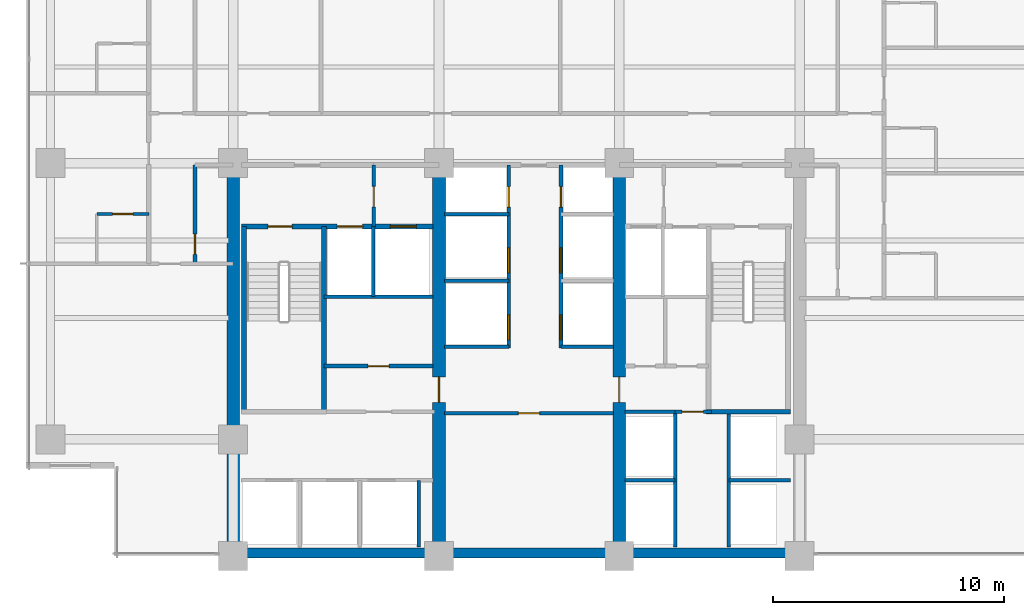
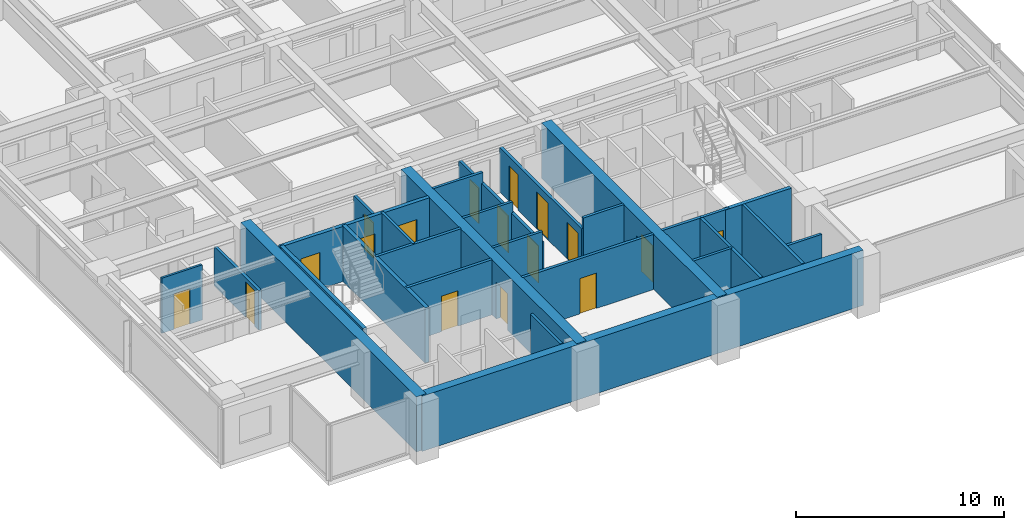
# One storey, part 8 of 17: 28 walls, 17 doors, 17 openings.
"""IFC4 building model written with IfcOpenShell, lengths in metres."""

from ifc_helpers import new_model, si_unit, direction, frame, frame_2d, origin, place, context, subcontext, project, spatial, rectangle, extrude, material, layer, layer_set, type_object, element, fill, save


model = new_model("IFC4")

# Units and contexts
model_context = context("Model", 3, precision=1e-05, world=origin(), true_north=direction((0.0, 1.0)))
body_context = subcontext(model_context, "Body", "Model", "MODEL_VIEW")
ifc_project = project(units=[si_unit("LENGTHUNIT", "METRE"), si_unit("AREAUNIT", "SQUARE_METRE"), si_unit("VOLUMEUNIT", "CUBIC_METRE"), si_unit("PLANEANGLEUNIT", "RADIAN"), si_unit("MASSUNIT", "GRAM", prefix="KILO")], contexts=[model_context])

# Site, building, storey
site_placement = place(None, origin())
site = spatial("IfcSite", under=ifc_project, at=site_placement, CompositionType="ELEMENT")
building_placement = place(site_placement, origin())
building = spatial("IfcBuilding", under=site, at=building_placement, Name="Qalmaran Belvedere Hotel", CompositionType="ELEMENT")
storey_placement = place(building_placement, frame((0.0, 0.0, 102.199951171875)))
storey = spatial("IfcBuildingStorey", under=building, at=storey_placement, Name="L25", CompositionType="ELEMENT", Elevation=102.199951171875)

# Wall
ifc_material_1 = material(Name="Concrete C60/75", Category="concrete")
ifc_layer_1 = layer(ifc_material_1, 0.550048828125, Name="Concrete C60/75")
ifc_layer_set_1 = layer_set([ifc_layer_1], Name="Concrete C60/75")
wall_type_1 = type_object("IfcWallType", Name="WL-CORE-550-C60", PredefinedType="SHEAR", material=ifc_layer_set_1)
wall_1_placement = place(storey_placement, frame((20.300048828125, 3.5, 0.0), z_axis=(0.0, 0.0, 1.0), x_axis=(0.0, 1.0, 0.0)))
element("IfcWall", 1, at=wall_1_placement, inside=storey, type_object=wall_type_1, Name="L25 West Core Shear Wall", PredefinedType="SHEAR", context=body_context, shape_type="SweptSolid", body=[
    extrude(rectangle(XDim=16.89990234375, YDim=0.550048828125, at=frame_2d((8.449951171875, 0.0))), origin(), (0.0, 0.0, 1.0), 3.239990234375),
])

# Wall, opening, door
wall_2_placement = place(storey_placement, frame((29.199951171875, 3.5, 0.0), z_axis=(0.0, 0.0, 1.0), x_axis=(0.0, 1.0, 0.0)))
wall_2 = element("IfcWall", 2, at=wall_2_placement, inside=storey, type_object=wall_type_1, Name="L25 Core West Spine Shear Wall", PredefinedType="SHEAR", context=body_context, shape_type="SweptSolid", body=[
    extrude(rectangle(XDim=16.89990234375, YDim=0.550048828125, at=frame_2d((8.449951171875, 0.0))), origin(), (0.0, 0.0, 1.0), 3.239990234375),
])
opening_1_placement = place(wall_2_placement, frame((7.75, 0.0, 0.0), z_axis=(0.0, 0.0, 1.0), x_axis=(-1.0, 0.0, 0.0)))
opening_1 = element("IfcOpeningElement", 3, at=opening_1_placement, cuts=wall_2, Name="Opening FD90", PredefinedType="OPENING", context=body_context, shape_type="SweptSolid", body=[
    extrude(rectangle(XDim=1.10009765625, YDim=2.14990234375, at=frame_2d((0.550048828125, 1.074951171875))), frame((0.0, 0.28515625, 0.0), z_axis=(0.0, -1.0, 0.0), x_axis=(1.0, 0.0, 0.0)), (0.0, 0.0, 1.0), 0.570068359375),
])
ifc_material_2 = material(Name="Steel S355JR", Category="steel")
door_type_1 = type_object("IfcDoorType", Name="DR-FD90-1100X2150", OperationType="NOTDEFINED", PredefinedType="DOOR", material=ifc_material_2)
door_1_placement = place(opening_1_placement, origin())
door_1 = element("IfcDoor", 4, at=door_1_placement, inside=storey, type_object=door_type_1, Name="L25 Core West Cross-Lobby Door", OperationType="SINGLE_SWING_RIGHT", OverallHeight=2.14990234375, OverallWidth=1.10009765625, PredefinedType="DOOR", context=body_context, shape_type="SweptSolid", body=[
    extrude(rectangle(XDim=1.10009765625, YDim=2.14990234375, at=frame_2d((0.550048828125, 1.074951171875))), frame((0.0, 0.02490234375, 0.0), z_axis=(0.0, -1.0, 0.0), x_axis=(1.0, 0.0, 0.0)), (0.0, 0.0, 1.0), 0.050048828125),
])
fill(opening_1, door_1)

wall_3_placement = place(storey_placement, frame((37.0, 3.5, 0.0), z_axis=(0.0, 0.0, 1.0), x_axis=(0.0, 1.0, 0.0)))
wall_3 = element("IfcWall", 5, at=wall_3_placement, inside=storey, type_object=wall_type_1, Name="L25 Core East Spine Shear Wall", PredefinedType="SHEAR", context=body_context, shape_type="SweptSolid", body=[
    extrude(rectangle(XDim=16.89990234375, YDim=0.550048828125, at=frame_2d((8.449951171875, 0.0))), origin(), (0.0, 0.0, 1.0), 3.239990234375),
])
opening_2_placement = place(wall_3_placement, frame((6.64990234375, 0.0, 0.0)))
opening_2 = element("IfcOpeningElement", 6, at=opening_2_placement, cuts=wall_3, Name="Opening FD90", PredefinedType="OPENING", context=body_context, shape_type="SweptSolid", body=[
    extrude(rectangle(XDim=1.10009765625, YDim=2.14990234375, at=frame_2d((0.550048828125, 1.074951171875))), frame((0.0, 0.28515625, 0.0), z_axis=(0.0, -1.0, 0.0), x_axis=(1.0, 0.0, 0.0)), (0.0, 0.0, 1.0), 0.570068359375),
])
door_2_placement = place(opening_2_placement, origin())
door_2 = element("IfcDoor", 7, at=door_2_placement, inside=storey, type_object=door_type_1, Name="L25 Core East Cross-Lobby Door", OperationType="SINGLE_SWING_LEFT", OverallHeight=2.14990234375, OverallWidth=1.10009765625, PredefinedType="DOOR", context=body_context, shape_type="SweptSolid", body=[
    extrude(rectangle(XDim=1.10009765625, YDim=2.14990234375, at=frame_2d((0.550048828125, 1.074951171875))), frame((0.0, 0.02490234375, 0.0), z_axis=(0.0, -1.0, 0.0), x_axis=(1.0, 0.0, 0.0)), (0.0, 0.0, 1.0), 0.050048828125),
])
fill(opening_2, door_2)

# Wall
ifc_material_3 = material(Name="Concrete C50/60", Category="concrete")
ifc_layer_2 = layer(ifc_material_3, 0.43994140625, Name="Concrete C50/60")
ifc_layer_set_2 = layer_set([ifc_layer_2], Name="Concrete C50/60")
wall_type_2 = type_object("IfcWallType", Name="WL-CORES-440-EXT", PredefinedType="SHEAR", material=ifc_layer_set_2)
wall_4_placement = place(storey_placement, frame((20.300048828125, 3.6298828125, 0.0), z_axis=(0.0, 0.0, 1.0), x_axis=(1.0, 0.0, 0.0)))
element("IfcWall", 8, at=wall_4_placement, inside=storey, type_object=wall_type_2, Name="L25 South Core Shear Wall", PredefinedType="SHEAR", context=body_context, shape_type="SweptSolid", body=[
    extrude(rectangle(XDim=24.5, YDim=0.43994140625, at=frame_2d((12.25, 0.0))), origin(), (0.0, 0.0, 1.0), 3.239990234375),
])

# Wall, opening, door
ifc_material_4 = material(Name="Moisture-Resistant Gypsum")
ifc_layer_3 = layer(ifc_material_4, 0.1201171875, Name="Moisture-Resistant Gypsum")
ifc_layer_set_3 = layer_set([ifc_layer_3], Name="Moisture-Resistant Gypsum")
wall_type_3 = type_object("IfcWallType", Name="WL-INT-120-BATH", PredefinedType="PARTITIONING", material=ifc_layer_set_3)
wall_5_placement = place(storey_placement, frame((14.39990234375, 18.300048828125, 0.0), z_axis=(0.0, 0.0, 1.0), x_axis=(1.0, 0.0, 0.0)))
wall_5 = element("IfcWall", 9, at=wall_5_placement, inside=storey, type_object=wall_type_3, Name="L25 Partition WL-L25-WBN00", PredefinedType="PARTITIONING", context=body_context, shape_type="SweptSolid", body=[
    extrude(rectangle(XDim=2.25, YDim=0.1201171875, at=frame_2d((1.125, 0.0))), origin(), (0.0, 0.0, 1.0), 3.239990234375),
])
opening_3_placement = place(wall_5_placement, frame((1.56494140625, 0.0, 0.0), z_axis=(0.0, 0.0, 1.0), x_axis=(-1.0, 0.0, 0.0)))
opening_3 = element("IfcOpeningElement", 10, at=opening_3_placement, cuts=wall_5, Name="Opening D-BATH", PredefinedType="OPENING", context=body_context, shape_type="SweptSolid", body=[
    extrude(rectangle(XDim=0.8798828125, YDim=2.080078125, at=frame_2d((0.43994140625, 1.0400390625))), frame((0.0, 0.070068359375, 0.0), z_axis=(0.0, -1.0, 0.0), x_axis=(1.0, 0.0, 0.0)), (0.0, 0.0, 1.0), 0.14013671875),
])
ifc_material_5 = material(Name="Engineered Oak Veneer")
door_type_2 = type_object("IfcDoorType", Name="DR-INT-BATH-880X2080", OperationType="NOTDEFINED", PredefinedType="DOOR", material=ifc_material_5)
door_3_placement = place(opening_3_placement, origin())
door_3 = element("IfcDoor", 11, at=door_3_placement, inside=storey, type_object=door_type_2, Name="L25 W Ensuite Door 01", OperationType="SINGLE_SWING_RIGHT", OverallHeight=2.080078125, OverallWidth=0.8798828125, PredefinedType="DOOR", context=body_context, shape_type="SweptSolid", body=[
    extrude(rectangle(XDim=0.8798828125, YDim=2.080078125, at=frame_2d((0.43994140625, 1.0400390625))), frame((0.0, 0.02490234375, 0.0), z_axis=(0.0, -1.0, 0.0), x_axis=(1.0, 0.0, 0.0)), (0.0, 0.0, 1.0), 0.050048828125),
])
fill(opening_3, door_3)

# Walls
ifc_material_6 = material(Name="Gypsum Stud Partition")
ifc_layer_4 = layer(ifc_material_6, 0.14990234375, Name="Gypsum Stud Partition")
ifc_layer_set_4 = layer_set([ifc_layer_4], Name="Gypsum Stud Partition")
wall_type_4 = type_object("IfcWallType", Name="WL-INT-150-EI120", PredefinedType="PARTITIONING", material=ifc_layer_set_4)
wall_6_placement = place(storey_placement, frame((26.360107421875, 14.719970703125, 0.0), z_axis=(0.0, 0.0, 1.0), x_axis=(0.0, 1.0, 0.0)))
element("IfcWall", 12, at=wall_6_placement, inside=storey, type_object=wall_type_4, Name="L25 Partition WL-FF1M-L25", PredefinedType="PARTITIONING", context=body_context, shape_type="SweptSolid", body=[
    extrude(rectangle(XDim=3.0400390625, YDim=0.14990234375, at=frame_2d((1.52001953125, 0.0))), origin(), (0.0, 0.0, 1.0), 3.239990234375),
])
wall_7_placement = place(storey_placement, frame((28.320068359375, 3.89990234375, 0.0), z_axis=(0.0, 0.0, 1.0), x_axis=(0.0, 1.0, 0.0)))
element("IfcWall", 13, at=wall_7_placement, inside=storey, type_object=wall_type_4, Name="L25 Partition WL-POM3-L25", PredefinedType="PARTITIONING", context=body_context, shape_type="SweptSolid", body=[
    extrude(rectangle(XDim=2.880126953125, YDim=0.14990234375, at=frame_2d((1.43994140625, 0.0))), origin(), (0.0, 0.0, 1.0), 3.239990234375),
])
wall_8_placement = place(storey_placement, frame((37.25, 6.780029296875, 0.0), z_axis=(0.0, 0.0, 1.0), x_axis=(1.0, 0.0, 0.0)))
element("IfcWall", 14, at=wall_8_placement, inside=storey, type_object=wall_type_4, Name="L25 Partition WL-PHMW-L25", PredefinedType="PARTITIONING", context=body_context, shape_type="SweptSolid", body=[
    extrude(rectangle(XDim=2.169921875, YDim=0.14990234375, at=frame_2d((1.0849609375, 0.0))), origin(), (0.0, 0.0, 1.0), 3.239990234375),
])
wall_9_placement = place(storey_placement, frame((41.739990234375, 6.780029296875, 0.0), z_axis=(0.0, 0.0, 1.0), x_axis=(1.0, 0.0, 0.0)))
element("IfcWall", 15, at=wall_9_placement, inside=storey, type_object=wall_type_4, Name="L25 Partition WL-PHME-L25", PredefinedType="PARTITIONING", context=body_context, shape_type="SweptSolid", body=[
    extrude(rectangle(XDim=2.659912109375, YDim=0.14990234375, at=frame_2d((1.330078125, 0.0))), origin(), (0.0, 0.0, 1.0), 2.31298828125),
])
wall_10_placement = place(storey_placement, frame((29.449951171875, 12.550048828125, 0.0), z_axis=(0.0, 0.0, 1.0), x_axis=(1.0, 0.0, 0.0)))
element("IfcWall", 16, at=wall_10_placement, inside=storey, type_object=wall_type_4, Name="L25 Partition WL-PMW-L25-125", PredefinedType="PARTITIONING", context=body_context, shape_type="SweptSolid", body=[
    extrude(rectangle(XDim=2.77001953125, YDim=0.14990234375, at=frame_2d((1.385009765625, 0.0))), origin(), (0.0, 0.0, 1.0), 3.239990234375),
])
wall_11_placement = place(storey_placement, frame((34.47998046875, 12.550048828125, 0.0), z_axis=(0.0, 0.0, 1.0), x_axis=(1.0, 0.0, 0.0)))
element("IfcWall", 17, at=wall_11_placement, inside=storey, type_object=wall_type_4, Name="L25 Partition WL-PME-L25-125", PredefinedType="PARTITIONING", context=body_context, shape_type="SweptSolid", body=[
    extrude(rectangle(XDim=2.27001953125, YDim=0.14990234375, at=frame_2d((1.135009765625, 0.0))), origin(), (0.0, 0.0, 1.0), 3.239990234375),
])
for number, where, z_axis, x_axis, name in (
    (18, (29.449951171875, 15.419921875, 0.0), (0.0, 0.0, 1.0), (1.0, 0.0, 0.0), "L25 Partition WL-PMW-L25-154"),
    (19, (29.449951171875, 18.280029296875, 0.0), (0.0, 0.0, 1.0), (1.0, 0.0, 0.0), "L25 Partition WL-PMW-L25-182"),
):
    element("IfcWall", number, at=place(storey_placement, frame(where, z_axis=z_axis, x_axis=x_axis)), inside=storey, type_object=wall_type_4, Name=name, PredefinedType="PARTITIONING", context=body_context, shape_type="SweptSolid", body=[
        extrude(rectangle(XDim=2.77001953125, YDim=0.14990234375, at=frame_2d((1.385009765625, 0.0))), origin(), (0.0, 0.0, 1.0), 3.239990234375),
    ])

# Wall, opening, door
ifc_layer_5 = layer(ifc_material_6, 0.159912109375, Name="Gypsum Stud Partition")
ifc_layer_set_5 = layer_set([ifc_layer_5], Name="Gypsum Stud Partition")
wall_type_5 = type_object("IfcWallType", Name="WL-INT-160-EI120", PredefinedType="PARTITIONING", material=ifc_layer_set_5)
wall_12_placement = place(storey_placement, frame((26.3798828125, 17.760009765625, 0.0), z_axis=(0.0, 0.0, 1.0), x_axis=(0.0, 1.0, 0.0)))
wall_12 = element("IfcWall", 20, at=wall_12_placement, inside=storey, type_object=wall_type_5, Name="L25 Partition WL-FFSV1-L25", PredefinedType="PARTITIONING", context=body_context, shape_type="SweptSolid", body=[
    extrude(rectangle(XDim=2.659912109375, YDim=0.159912109375, at=frame_2d((1.330078125, 0.0))), origin(), (0.0, 0.0, 1.0), 2.614013671875),
])
opening_4_placement = place(wall_12_placement, frame((0.85009765625, 0.0, 0.0)))
opening_4 = element("IfcOpeningElement", 21, at=opening_4_placement, cuts=wall_12, Name="Opening FD60B", PredefinedType="OPENING", context=body_context, shape_type="SweptSolid", body=[
    extrude(rectangle(XDim=0.8798828125, YDim=2.080078125, at=frame_2d((0.43994140625, 1.0400390625))), frame((0.0, 0.08984375, 0.0), z_axis=(0.0, -1.0, 0.0), x_axis=(1.0, 0.0, 0.0)), (0.0, 0.0, 1.0), 0.179931640625),
])
door_type_3 = type_object("IfcDoorType", Name="DR-FD60B-880X2080", OperationType="NOTDEFINED", PredefinedType="DOOR", material=ifc_material_2)
door_4_placement = place(opening_4_placement, origin())
door_4 = element("IfcDoor", 22, at=door_4_placement, inside=storey, type_object=door_type_3, Name="L25 Service Lobby West Door", OperationType="SINGLE_SWING_RIGHT", OverallHeight=2.080078125, OverallWidth=0.8798828125, PredefinedType="DOOR", context=body_context, shape_type="SweptSolid", body=[
    extrude(rectangle(XDim=0.8798828125, YDim=2.080078125, at=frame_2d((0.43994140625, 1.0400390625))), frame((0.0, 0.02490234375, 0.0), z_axis=(0.0, -1.0, 0.0), x_axis=(1.0, 0.0, 0.0)), (0.0, 0.0, 1.0), 0.050048828125),
])
fill(opening_4, door_4)

# Walls
wall_13_placement = place(storey_placement, frame((24.219970703125, 14.719970703125, 0.0), z_axis=(0.0, 0.0, 1.0), x_axis=(1.0, 0.0, 0.0)))
element("IfcWall", 23, at=wall_13_placement, inside=storey, type_object=wall_type_5, Name="L25 Partition WL-FF1S-L25", PredefinedType="PARTITIONING", context=body_context, shape_type="SweptSolid", body=[
    extrude(rectangle(XDim=4.72998046875, YDim=0.159912109375, at=frame_2d((2.364990234375, 0.0))), origin(), (0.0, 0.0, 1.0), 3.239990234375),
])
for number, where, z_axis, x_axis, name in (
    (24, (39.419921875, 3.89990234375, 0.0), (0.0, 0.0, 1.0), (0.0, 1.0, 0.0), "L25 Partition WL-PHW-L25"),
    (25, (41.739990234375, 3.89990234375, 0.0), (0.0, 0.0, 1.0), (0.0, 1.0, 0.0), "L25 Partition WL-PHE-L25"),
):
    element("IfcWall", number, at=place(storey_placement, frame(where, z_axis=z_axis, x_axis=x_axis)), inside=storey, type_object=wall_type_5, Name=name, PredefinedType="PARTITIONING", context=body_context, shape_type="SweptSolid", body=[
        extrude(rectangle(XDim=5.840087890625, YDim=0.159912109375, at=frame_2d((2.919921875, 0.0))), origin(), (0.0, 0.0, 1.0), 3.239990234375),
    ])
wall_14_placement = place(storey_placement, frame((37.25, 9.739990234375, 0.0), z_axis=(0.0, 0.0, 1.0), x_axis=(1.0, 0.0, 0.0)))
element("IfcWall", 26, at=wall_14_placement, inside=storey, type_object=wall_type_5, Name="L25 Partition WL-PHNW-L25", PredefinedType="PARTITIONING", context=body_context, shape_type="SweptSolid", body=[
    extrude(rectangle(XDim=2.169921875, YDim=0.159912109375, at=frame_2d((1.0849609375, 0.0))), origin(), (0.0, 0.0, 1.0), 3.239990234375),
])

# Wall, opening, door
wall_15_placement = place(storey_placement, frame((39.419921875, 9.739990234375, 0.0), z_axis=(0.0, 0.0, 1.0), x_axis=(1.0, 0.0, 0.0)))
wall_15 = element("IfcWall", 27, at=wall_15_placement, inside=storey, type_object=wall_type_5, Name="L25 Partition WL-PHNL-L25", PredefinedType="PARTITIONING", context=body_context, shape_type="SweptSolid", body=[
    extrude(rectangle(XDim=1.56005859375, YDim=0.159912109375, at=frame_2d((0.780029296875, 0.0))), origin(), (0.0, 0.0, 1.0), 3.239990234375),
])
opening_5_placement = place(wall_15_placement, frame((0.300048828125, 0.0, 0.0)))
opening_5 = element("IfcOpeningElement", 28, at=opening_5_placement, cuts=wall_15, Name="Opening FD60S1", PredefinedType="OPENING", context=body_context, shape_type="SweptSolid", body=[
    extrude(rectangle(XDim=0.919921875, YDim=2.080078125, at=frame_2d((0.4599609375, 1.0400390625))), frame((0.0, 0.08984375, 0.0), z_axis=(0.0, -1.0, 0.0), x_axis=(1.0, 0.0, 0.0)), (0.0, 0.0, 1.0), 0.179931640625),
])
door_type_4 = type_object("IfcDoorType", Name="DR-FD60S-920X2080", OperationType="NOTDEFINED", PredefinedType="DOOR", material=ifc_material_5)
door_5_placement = place(opening_5_placement, origin())
door_5 = element("IfcDoor", 29, at=door_5_placement, inside=storey, type_object=door_type_4, Name="L25 High-Rise Lift Lobby Passage Door", OperationType="SINGLE_SWING_LEFT", OverallHeight=2.080078125, OverallWidth=0.919921875, PredefinedType="DOOR", context=body_context, shape_type="SweptSolid", body=[
    extrude(rectangle(XDim=0.919921875, YDim=2.080078125, at=frame_2d((0.4599609375, 1.0400390625))), frame((0.0, 0.02490234375, 0.0), z_axis=(0.0, -1.0, 0.0), x_axis=(1.0, 0.0, 0.0)), (0.0, 0.0, 1.0), 0.050048828125),
])
fill(opening_5, door_5)

# Wall, openings, doors
wall_16_placement = place(storey_placement, frame((32.219970703125, 12.5, 0.0), z_axis=(0.0, 0.0, 1.0), x_axis=(0.0, 1.0, 0.0)))
wall_16 = element("IfcWall", 30, at=wall_16_placement, inside=storey, type_object=wall_type_5, Name="L25 Partition WL-CLBWN-L25", PredefinedType="PARTITIONING", context=body_context, shape_type="SweptSolid", body=[
    extrude(rectangle(XDim=7.919921875, YDim=0.159912109375, at=frame_2d((3.9599609375, 0.0))), origin(), (0.0, 0.0, 1.0), 2.614013671875),
])
opening_6_placement = place(wall_16_placement, frame((1.43017578125, 0.0, 0.0), z_axis=(0.0, 0.0, 1.0), x_axis=(-1.0, 0.0, 0.0)))
opening_6 = element("IfcOpeningElement", 31, at=opening_6_placement, cuts=wall_16, Name="Opening LD-P1", PredefinedType="OPENING", context=body_context, shape_type="SweptSolid", body=[
    extrude(rectangle(XDim=1.080078125, YDim=2.159912109375, at=frame_2d((0.5400390625, 1.080078125))), frame((0.0, 0.08984375, 0.0), z_axis=(0.0, -1.0, 0.0), x_axis=(1.0, 0.0, 0.0)), (0.0, 0.0, 1.0), 0.179931640625),
])
opening_7_placement = place(wall_16_placement, frame((4.330078125, 0.0, 0.0), z_axis=(0.0, 0.0, 1.0), x_axis=(-1.0, 0.0, 0.0)))
opening_7 = element("IfcOpeningElement", 32, at=opening_7_placement, cuts=wall_16, Name="Opening LD-P1", PredefinedType="OPENING", context=body_context, shape_type="SweptSolid", body=[
    extrude(rectangle(XDim=1.080078125, YDim=2.159912109375, at=frame_2d((0.5400390625, 1.080078125))), frame((0.0, 0.08984375, 0.0), z_axis=(0.0, -1.0, 0.0), x_axis=(1.0, 0.0, 0.0)), (0.0, 0.0, 1.0), 0.179931640625),
])
opening_8_placement = place(wall_16_placement, frame((6.10009765625, 0.0, 0.0)))
opening_8 = element("IfcOpeningElement", 33, at=opening_8_placement, cuts=wall_16, Name="Opening FD60B", PredefinedType="OPENING", context=body_context, shape_type="SweptSolid", body=[
    extrude(rectangle(XDim=0.8798828125, YDim=2.080078125, at=frame_2d((0.43994140625, 1.0400390625))), frame((0.0, 0.08984375, 0.0), z_axis=(0.0, -1.0, 0.0), x_axis=(1.0, 0.0, 0.0)), (0.0, 0.0, 1.0), 0.179931640625),
])
door_6_placement = place(opening_8_placement, origin())
door_6 = element("IfcDoor", 34, at=door_6_placement, inside=storey, type_object=door_type_3, Name="L25 West Riser Access Door", OperationType="SINGLE_SWING_LEFT", OverallHeight=2.080078125, OverallWidth=0.8798828125, PredefinedType="DOOR", context=body_context, shape_type="SweptSolid", body=[
    extrude(rectangle(XDim=0.8798828125, YDim=2.080078125, at=frame_2d((0.43994140625, 1.0400390625))), frame((0.0, 0.02490234375, 0.0), z_axis=(0.0, -1.0, 0.0), x_axis=(1.0, 0.0, 0.0)), (0.0, 0.0, 1.0), 0.050048828125),
])
fill(opening_8, door_6)
ifc_material_7 = material(Name="Stainless Steel 1.4401", Category="steel")
door_type_5 = type_object("IfcDoorType", Name="DR-LIFT-P1-1080X2160", OperationType="DOUBLE_DOOR_SLIDING", PredefinedType="DOOR", material=ifc_material_7)
door_7_placement = place(opening_6_placement, origin())
door_7 = element("IfcDoor", 35, at=door_7_placement, inside=storey, type_object=door_type_5, Name="L25 PM1 Lift Landing Door", OperationType="DOUBLE_DOOR_SLIDING", OverallHeight=2.159912109375, OverallWidth=1.080078125, PredefinedType="DOOR", context=body_context, shape_type="SweptSolid", body=[
    extrude(rectangle(XDim=1.080078125, YDim=2.159912109375, at=frame_2d((0.5400390625, 1.080078125))), frame((0.0, 0.02490234375, 0.0), z_axis=(0.0, -1.0, 0.0), x_axis=(1.0, 0.0, 0.0)), (0.0, 0.0, 1.0), 0.050048828125),
])
fill(opening_6, door_7)
door_8_placement = place(opening_7_placement, origin())
door_8 = element("IfcDoor", 36, at=door_8_placement, inside=storey, type_object=door_type_5, Name="L25 PM2 Lift Landing Door", OperationType="DOUBLE_DOOR_SLIDING", OverallHeight=2.159912109375, OverallWidth=1.080078125, PredefinedType="DOOR", context=body_context, shape_type="SweptSolid", body=[
    extrude(rectangle(XDim=1.080078125, YDim=2.159912109375, at=frame_2d((0.5400390625, 1.080078125))), frame((0.0, 0.02490234375, 0.0), z_axis=(0.0, -1.0, 0.0), x_axis=(1.0, 0.0, 0.0)), (0.0, 0.0, 1.0), 0.050048828125),
])
fill(opening_7, door_8)

wall_17_placement = place(storey_placement, frame((34.47998046875, 12.5, 0.0), z_axis=(0.0, 0.0, 1.0), x_axis=(0.0, 1.0, 0.0)))
wall_17 = element("IfcWall", 37, at=wall_17_placement, inside=storey, type_object=wall_type_5, Name="L25 Partition WL-CLBEN-L25", PredefinedType="PARTITIONING", context=body_context, shape_type="SweptSolid", body=[
    extrude(rectangle(XDim=7.919921875, YDim=0.159912109375, at=frame_2d((3.9599609375, 0.0))), origin(), (0.0, 0.0, 1.0), 2.614013671875),
])
opening_9_placement = place(wall_17_placement, frame((0.35009765625, 0.0, 0.0)))
opening_9 = element("IfcOpeningElement", 38, at=opening_9_placement, cuts=wall_17, Name="Opening LD-P1", PredefinedType="OPENING", context=body_context, shape_type="SweptSolid", body=[
    extrude(rectangle(XDim=1.080078125, YDim=2.159912109375, at=frame_2d((0.5400390625, 1.080078125))), frame((0.0, 0.08984375, 0.0), z_axis=(0.0, -1.0, 0.0), x_axis=(1.0, 0.0, 0.0)), (0.0, 0.0, 1.0), 0.179931640625),
])
opening_10_placement = place(wall_17_placement, frame((3.25, 0.0, 0.0)))
opening_10 = element("IfcOpeningElement", 39, at=opening_10_placement, cuts=wall_17, Name="Opening LD-P1", PredefinedType="OPENING", context=body_context, shape_type="SweptSolid", body=[
    extrude(rectangle(XDim=1.080078125, YDim=2.159912109375, at=frame_2d((0.5400390625, 1.080078125))), frame((0.0, 0.08984375, 0.0), z_axis=(0.0, -1.0, 0.0), x_axis=(1.0, 0.0, 0.0)), (0.0, 0.0, 1.0), 0.179931640625),
])
opening_11_placement = place(wall_17_placement, frame((6.97998046875, 0.0, 0.0), z_axis=(0.0, 0.0, 1.0), x_axis=(-1.0, 0.0, 0.0)))
opening_11 = element("IfcOpeningElement", 40, at=opening_11_placement, cuts=wall_17, Name="Opening FD60B", PredefinedType="OPENING", context=body_context, shape_type="SweptSolid", body=[
    extrude(rectangle(XDim=0.8798828125, YDim=2.080078125, at=frame_2d((0.43994140625, 1.0400390625))), frame((0.0, 0.08984375, 0.0), z_axis=(0.0, -1.0, 0.0), x_axis=(1.0, 0.0, 0.0)), (0.0, 0.0, 1.0), 0.179931640625),
])
door_9_placement = place(opening_11_placement, origin())
door_9 = element("IfcDoor", 41, at=door_9_placement, inside=storey, type_object=door_type_3, Name="L25 East Riser Access Door", OperationType="SINGLE_SWING_RIGHT", OverallHeight=2.080078125, OverallWidth=0.8798828125, PredefinedType="DOOR", context=body_context, shape_type="SweptSolid", body=[
    extrude(rectangle(XDim=0.8798828125, YDim=2.080078125, at=frame_2d((0.43994140625, 1.0400390625))), frame((0.0, 0.02490234375, 0.0), z_axis=(0.0, -1.0, 0.0), x_axis=(1.0, 0.0, 0.0)), (0.0, 0.0, 1.0), 0.050048828125),
])
fill(opening_11, door_9)
door_10_placement = place(opening_9_placement, origin())
door_10 = element("IfcDoor", 42, at=door_10_placement, inside=storey, type_object=door_type_5, Name="L25 PM3 Lift Landing Door", OperationType="DOUBLE_DOOR_SLIDING", OverallHeight=2.159912109375, OverallWidth=1.080078125, PredefinedType="DOOR", context=body_context, shape_type="SweptSolid", body=[
    extrude(rectangle(XDim=1.080078125, YDim=2.159912109375, at=frame_2d((0.5400390625, 1.080078125))), frame((0.0, 0.02490234375, 0.0), z_axis=(0.0, -1.0, 0.0), x_axis=(1.0, 0.0, 0.0)), (0.0, 0.0, 1.0), 0.050048828125),
])
fill(opening_9, door_10)
door_11_placement = place(opening_10_placement, origin())
door_11 = element("IfcDoor", 43, at=door_11_placement, inside=storey, type_object=door_type_5, Name="L25 PM4 Lift Landing Door", OperationType="DOUBLE_DOOR_SLIDING", OverallHeight=2.159912109375, OverallWidth=1.080078125, PredefinedType="DOOR", context=body_context, shape_type="SweptSolid", body=[
    extrude(rectangle(XDim=1.080078125, YDim=2.159912109375, at=frame_2d((0.5400390625, 1.080078125))), frame((0.0, 0.02490234375, 0.0), z_axis=(0.0, -1.0, 0.0), x_axis=(1.0, 0.0, 0.0)), (0.0, 0.0, 1.0), 0.050048828125),
])
fill(opening_10, door_11)

# Wall, opening, door
ifc_layer_6 = layer(ifc_material_6, 0.159912109375, Name="Gypsum Stud Partition")
ifc_layer_set_6 = layer_set([ifc_layer_6], Name="Gypsum Stud Partition")
wall_type_6 = type_object("IfcWallType", Name="WL-INT-160-EI60", PredefinedType="PARTITIONING", material=ifc_layer_set_6)
wall_18_placement = place(storey_placement, frame((24.219970703125, 11.719970703125, 0.0), z_axis=(0.0, 0.0, 1.0), x_axis=(1.0, 0.0, 0.0)))
wall_18 = element("IfcWall", 44, at=wall_18_placement, inside=storey, type_object=wall_type_6, Name="L25 Partition WL-L25-KWE1", PredefinedType="PARTITIONING", context=body_context, shape_type="SweptSolid", body=[
    extrude(rectangle(XDim=4.72998046875, YDim=0.159912109375, at=frame_2d((2.364990234375, 0.0))), origin(), (0.0, 0.0, 1.0), 3.239990234375),
])
opening_12_placement = place(wall_18_placement, frame((1.905029296875, 0.0, 0.0)))
opening_12 = element("IfcOpeningElement", 45, at=opening_12_placement, cuts=wall_18, Name="Opening FD60S1", PredefinedType="OPENING", context=body_context, shape_type="SweptSolid", body=[
    extrude(rectangle(XDim=0.919921875, YDim=2.080078125, at=frame_2d((0.4599609375, 1.0400390625))), frame((0.0, 0.08984375, 0.0), z_axis=(0.0, -1.0, 0.0), x_axis=(1.0, 0.0, 0.0)), (0.0, 0.0, 1.0), 0.179931640625),
])
door_12_placement = place(opening_12_placement, origin())
door_12 = element("IfcDoor", 46, at=door_12_placement, inside=storey, type_object=door_type_4, Name="L25 Electrical Distribution Room Door", OperationType="SINGLE_SWING_LEFT", OverallHeight=2.080078125, OverallWidth=0.919921875, PredefinedType="DOOR", context=body_context, shape_type="SweptSolid", body=[
    extrude(rectangle(XDim=0.919921875, YDim=2.080078125, at=frame_2d((0.4599609375, 1.0400390625))), frame((0.0, 0.02490234375, 0.0), z_axis=(0.0, -1.0, 0.0), x_axis=(1.0, 0.0, 0.0)), (0.0, 0.0, 1.0), 0.050048828125),
])
fill(opening_12, door_12)

wall_19_placement = place(storey_placement, frame((29.449951171875, 9.679931640625, 0.0), z_axis=(0.0, 0.0, 1.0), x_axis=(1.0, 0.0, 0.0)))
wall_19 = element("IfcWall", 47, at=wall_19_placement, inside=storey, type_object=wall_type_6, Name="L25 Partition WL-L25-KPLE1", PredefinedType="PARTITIONING", context=body_context, shape_type="SweptSolid", body=[
    extrude(rectangle(XDim=7.300048828125, YDim=0.159912109375, at=frame_2d((3.64990234375, 0.0))), origin(), (0.0, 0.0, 1.0), 3.239990234375),
])
opening_13_placement = place(wall_19_placement, frame((4.10986328125, 0.0, 0.0), z_axis=(0.0, 0.0, 1.0), x_axis=(-1.0, 0.0, 0.0)))
opening_13 = element("IfcOpeningElement", 48, at=opening_13_placement, cuts=wall_19, Name="Opening FD60S1", PredefinedType="OPENING", context=body_context, shape_type="SweptSolid", body=[
    extrude(rectangle(XDim=0.919921875, YDim=2.080078125, at=frame_2d((0.4599609375, 1.0400390625))), frame((0.0, 0.08984375, 0.0), z_axis=(0.0, -1.0, 0.0), x_axis=(1.0, 0.0, 0.0)), (0.0, 0.0, 1.0), 0.179931640625),
])
door_13_placement = place(opening_13_placement, origin())
door_13 = element("IfcDoor", 49, at=door_13_placement, inside=storey, type_object=door_type_4, Name="L25 Housekeeping and Linen Room Door", OperationType="SINGLE_SWING_RIGHT", OverallHeight=2.080078125, OverallWidth=0.919921875, PredefinedType="DOOR", context=body_context, shape_type="SweptSolid", body=[
    extrude(rectangle(XDim=0.919921875, YDim=2.080078125, at=frame_2d((0.4599609375, 1.0400390625))), frame((0.0, 0.02490234375, 0.0), z_axis=(0.0, -1.0, 0.0), x_axis=(1.0, 0.0, 0.0)), (0.0, 0.0, 1.0), 0.050048828125),
])
fill(opening_13, door_13)

wall_20_placement = place(storey_placement, frame((18.64990234375, 16.14990234375, 0.0), z_axis=(0.0, 0.0, 1.0), x_axis=(0.0, 1.0, 0.0)))
wall_20 = element("IfcWall", 50, at=wall_20_placement, inside=storey, type_object=wall_type_6, Name="L25 Partition WL-L25-WCL", PredefinedType="PARTITIONING", context=body_context, shape_type="SweptSolid", body=[
    extrude(rectangle(XDim=4.27001953125, YDim=0.159912109375, at=frame_2d((2.135009765625, 0.0))), origin(), (0.0, 0.0, 1.0), 2.31298828125),
])
opening_14_placement = place(wall_20_placement, frame((1.27978515625, 0.0, 0.0), z_axis=(0.0, 0.0, 1.0), x_axis=(-1.0, 0.0, 0.0)))
opening_14 = element("IfcOpeningElement", 51, at=opening_14_placement, cuts=wall_20, Name="Opening FD60B", PredefinedType="OPENING", context=body_context, shape_type="SweptSolid", body=[
    extrude(rectangle(XDim=0.8798828125, YDim=2.080078125, at=frame_2d((0.43994140625, 1.0400390625))), frame((0.0, 0.08984375, 0.0), z_axis=(0.0, -1.0, 0.0), x_axis=(1.0, 0.0, 0.0)), (0.0, 0.0, 1.0), 0.179931640625),
])
door_14_placement = place(opening_14_placement, origin())
door_14 = element("IfcDoor", 52, at=door_14_placement, inside=storey, type_object=door_type_3, Name="L25 West Closet Door", OperationType="SINGLE_SWING_LEFT", OverallHeight=2.080078125, OverallWidth=0.8798828125, PredefinedType="DOOR", context=body_context, shape_type="SweptSolid", body=[
    extrude(rectangle(XDim=0.8798828125, YDim=2.080078125, at=frame_2d((0.43994140625, 1.0400390625))), frame((0.0, 0.02490234375, 0.0), z_axis=(0.0, -1.0, 0.0), x_axis=(1.0, 0.0, 0.0)), (0.0, 0.0, 1.0), 0.050048828125),
])
fill(opening_14, door_14)

# Walls
ifc_layer_7 = layer(ifc_material_3, 0.2099609375, Name="Concrete C50/60")
ifc_layer_set_7 = layer_set([ifc_layer_7], Name="Concrete C50/60")
wall_type_7 = type_object("IfcWallType", Name="WL-STAIR-210-C50", PredefinedType="SHEAR", material=ifc_layer_set_7)
for number, where, z_axis, x_axis, name in (
    (53, (20.77490234375, 9.7451171875, 0.0), (0.0, 0.0, 1.0), (0.0, 1.0, 0.0), "L25 Stair ST-1 West Bearing Wall"),
    (54, (24.22509765625, 9.7451171875, 0.0), (0.0, 0.0, 1.0), (0.0, 1.0, 0.0), "L25 Stair ST-1 East Bearing Wall"),
):
    element("IfcWall", number, at=place(storey_placement, frame(where, z_axis=z_axis, x_axis=x_axis)), inside=storey, type_object=wall_type_7, Name=name, PredefinedType="SHEAR", context=body_context, shape_type="SweptSolid", body=[
        extrude(rectangle(XDim=8.009765625, YDim=0.2099609375, at=frame_2d((4.0048828125, 0.0))), origin(), (0.0, 0.0, 1.0), 3.239990234375),
    ])

# Wall, openings, doors
wall_21_placement = place(storey_placement, frame((20.64990234375, 17.7548828125, 0.0), z_axis=(0.0, 0.0, 1.0), x_axis=(1.0, 0.0, 0.0)))
wall_21 = element("IfcWall", 55, at=wall_21_placement, inside=storey, type_object=wall_type_7, Name="L25 West Lobby and Stair ST-1 North Bearing Wall", PredefinedType="SHEAR", context=body_context, shape_type="SweptSolid", body=[
    extrude(rectangle(XDim=8.300048828125, YDim=0.2099609375, at=frame_2d((4.14990234375, 0.0))), origin(), (0.0, 0.0, 1.0), 3.239990234375),
])
opening_15_placement = place(wall_21_placement, frame((2.199951171875, 0.0, 0.0), z_axis=(0.0, 0.0, 1.0), x_axis=(-1.0, 0.0, 0.0)))
opening_15 = element("IfcOpeningElement", 56, at=opening_15_placement, cuts=wall_21, Name="Opening FD90S2", PredefinedType="OPENING", context=body_context, shape_type="SweptSolid", body=[
    extrude(rectangle(XDim=1.050048828125, YDim=2.14990234375, at=frame_2d((0.52490234375, 1.074951171875))), frame((0.0, 0.114990234375, 0.0), z_axis=(0.0, -1.0, 0.0), x_axis=(1.0, 0.0, 0.0)), (0.0, 0.0, 1.0), 0.22998046875),
])
opening_16_placement = place(wall_21_placement, frame((4.14990234375, 0.0, 0.0)))
opening_16 = element("IfcOpeningElement", 57, at=opening_16_placement, cuts=wall_21, Name="Opening LD-FF", PredefinedType="OPENING", context=body_context, shape_type="SweptSolid", body=[
    extrude(rectangle(XDim=1.10009765625, YDim=2.179931640625, at=frame_2d((0.550048828125, 1.08984375))), frame((0.0, 0.114990234375, 0.0), z_axis=(0.0, -1.0, 0.0), x_axis=(1.0, 0.0, 0.0)), (0.0, 0.0, 1.0), 0.22998046875),
])
opening_17_placement = place(wall_21_placement, frame((6.449951171875, 0.0, 0.0)))
opening_17 = element("IfcOpeningElement", 58, at=opening_17_placement, cuts=wall_21, Name="Opening LD-SV", PredefinedType="OPENING", context=body_context, shape_type="SweptSolid", body=[
    extrude(rectangle(XDim=1.1201171875, YDim=2.199951171875, at=frame_2d((0.56005859375, 1.10009765625))), frame((0.0, 0.114990234375, 0.0), z_axis=(0.0, -1.0, 0.0), x_axis=(1.0, 0.0, 0.0)), (0.0, 0.0, 1.0), 0.22998046875),
])
door_type_6 = type_object("IfcDoorType", Name="DR-FD90S-1050X2150", OperationType="NOTDEFINED", PredefinedType="DOOR", material=ifc_material_2)
door_15_placement = place(opening_15_placement, origin())
door_15 = element("IfcDoor", 59, at=door_15_placement, inside=storey, type_object=door_type_6, Name="L25 Stair ST-1 Door", OperationType="SINGLE_SWING_RIGHT", OverallHeight=2.14990234375, OverallWidth=1.050048828125, PredefinedType="DOOR", context=body_context, shape_type="SweptSolid", body=[
    extrude(rectangle(XDim=1.050048828125, YDim=2.14990234375, at=frame_2d((0.52490234375, 1.074951171875))), frame((0.0, 0.02490234375, 0.0), z_axis=(0.0, -1.0, 0.0), x_axis=(1.0, 0.0, 0.0)), (0.0, 0.0, 1.0), 0.050048828125),
])
fill(opening_15, door_15)
door_type_7 = type_object("IfcDoorType", Name="DR-LIFT-FF-1100X2180", OperationType="DOUBLE_DOOR_SLIDING", PredefinedType="DOOR", material=ifc_material_7)
door_16_placement = place(opening_16_placement, origin())
door_16 = element("IfcDoor", 60, at=door_16_placement, inside=storey, type_object=door_type_7, Name="L25 FF1 Lift Landing Door", OperationType="DOUBLE_DOOR_SLIDING", OverallHeight=2.179931640625, OverallWidth=1.10009765625, PredefinedType="DOOR", context=body_context, shape_type="SweptSolid", body=[
    extrude(rectangle(XDim=1.10009765625, YDim=2.179931640625, at=frame_2d((0.550048828125, 1.08984375))), frame((0.0, 0.02490234375, 0.0), z_axis=(0.0, -1.0, 0.0), x_axis=(1.0, 0.0, 0.0)), (0.0, 0.0, 1.0), 0.050048828125),
])
fill(opening_16, door_16)
door_type_8 = type_object("IfcDoorType", Name="DR-LIFT-SV-1120X2200", OperationType="DOUBLE_DOOR_SLIDING", PredefinedType="DOOR", material=ifc_material_7)
door_17_placement = place(opening_17_placement, origin())
door_17 = element("IfcDoor", 61, at=door_17_placement, inside=storey, type_object=door_type_8, Name="L25 SV1 Lift Landing Door", OperationType="DOUBLE_DOOR_SLIDING", OverallHeight=2.199951171875, OverallWidth=1.1201171875, PredefinedType="DOOR", context=body_context, shape_type="SweptSolid", body=[
    extrude(rectangle(XDim=1.1201171875, YDim=2.199951171875, at=frame_2d((0.56005859375, 1.10009765625))), frame((0.0, 0.02490234375, 0.0), z_axis=(0.0, -1.0, 0.0), x_axis=(1.0, 0.0, 0.0)), (0.0, 0.0, 1.0), 0.050048828125),
])
fill(opening_17, door_17)

# Wall
wall_22_placement = place(storey_placement, frame((40.75, 9.7451171875, 0.0), z_axis=(0.0, 0.0, 1.0), x_axis=(1.0, 0.0, 0.0)))
element("IfcWall", 62, at=wall_22_placement, inside=storey, type_object=wall_type_7, Name="L25 Stair ST-2 South Bearing Wall", PredefinedType="SHEAR", context=body_context, shape_type="SweptSolid", body=[
    extrude(rectangle(XDim=3.659912109375, YDim=0.2099609375, at=frame_2d((1.830078125, 0.0))), origin(), (0.0, 0.0, 1.0), 3.239990234375),
])

save(model, "model.ifc")
